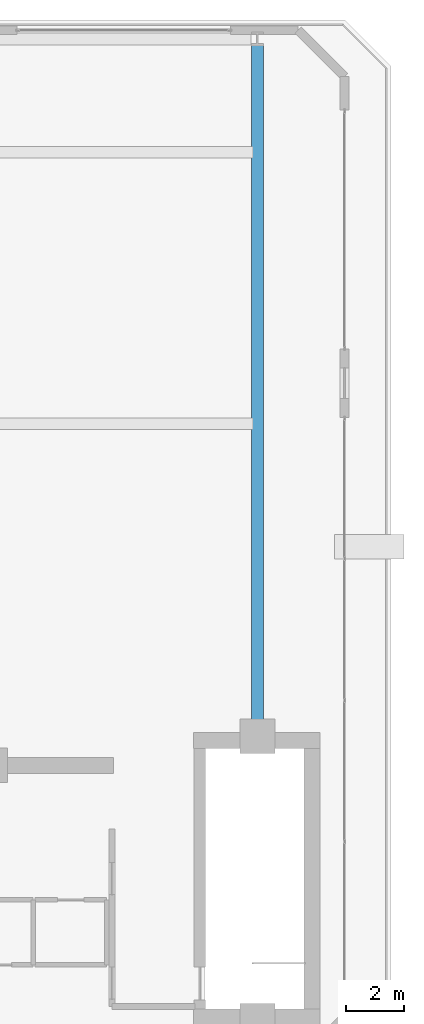
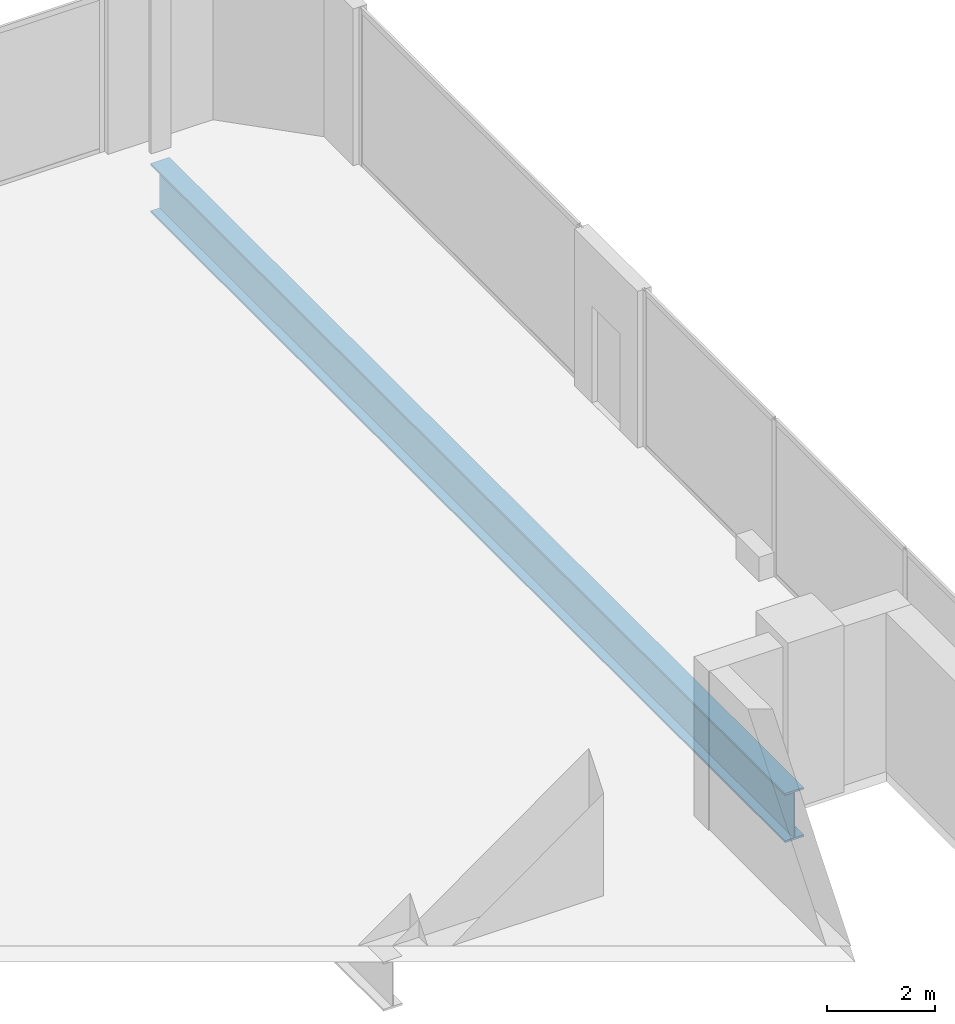
# One storey, part 14 of 26: 1 beam.
"""IFC4 building model written with IfcOpenShell, lengths in metres."""

from ifc_helpers import new_model, si_unit, direction, frame, origin, origin_2d, place, context, subcontext, project, spatial, i_section, extrude, material, material_profile, profile_set, type_object, element, save


model = new_model("IFC4")

# Units and contexts
model_context = context("Model", 3, precision=1e-05, world=origin(), true_north=direction((0.0, 1.0)))
body_context = subcontext(model_context, "Body", "Model", "MODEL_VIEW")
ifc_project = project(units=[si_unit("LENGTHUNIT", "METRE"), si_unit("AREAUNIT", "SQUARE_METRE"), si_unit("VOLUMEUNIT", "CUBIC_METRE"), si_unit("PLANEANGLEUNIT", "RADIAN"), si_unit("MASSUNIT", "GRAM", prefix="KILO")], contexts=[model_context])

# Site, building, storey
site_placement = place(None, origin())
site = spatial("IfcSite", under=ifc_project, at=site_placement, CompositionType="ELEMENT")
building_placement = place(site_placement, origin())
building = spatial("IfcBuilding", under=site, at=building_placement, Name="Zuhayl Quay Hotel", CompositionType="ELEMENT")
storey_placement = place(building_placement, frame((0.0, 0.0, 301.050048828125)))
storey = spatial("IfcBuildingStorey", under=building, at=storey_placement, Name="Crown 2", CompositionType="ELEMENT", Elevation=301.050048828125)

# Beam
ifc_material = material(Name="Steel ASTM A913 Grade 65", Category="steel")
ifc_material_profile = material_profile(ifc_material, i_section(OverallWidth=0.404052734375, OverallDepth=1.117919921875, WebThickness=0.026123046875, FlangeThickness=0.044921875, at=origin_2d()), Name="W44X335")
ifc_profile_set = profile_set([ifc_material_profile], Name="Steel ASTM A913 Grade 65")
beam_type = type_object("IfcBeamType", Name="BM_TG1_W44X335", PredefinedType="BEAM", material=ifc_profile_set)
beam_placement = place(storey_placement, frame((13.800048828125, 14.550048828125, -0.799072265625), z_axis=(0.0, 1.0, 0.0), x_axis=(-1.0, 0.0, 0.0)))
element("IfcBeam", 1, at=beam_placement, inside=storey, type_object=beam_type, Name="Crown 2 Floor Beam CR_NS_2_4", PredefinedType="BEAM", context=body_context, shape_type="SweptSolid", body=[
    extrude(i_section(OverallWidth=0.404052734375, OverallDepth=1.117919921875, WebThickness=0.026123046875, FlangeThickness=0.044921875, at=origin_2d()), origin(), (0.0, 0.0, 1.0), 23.599853515625),
])

save(model, "model.ifc")
